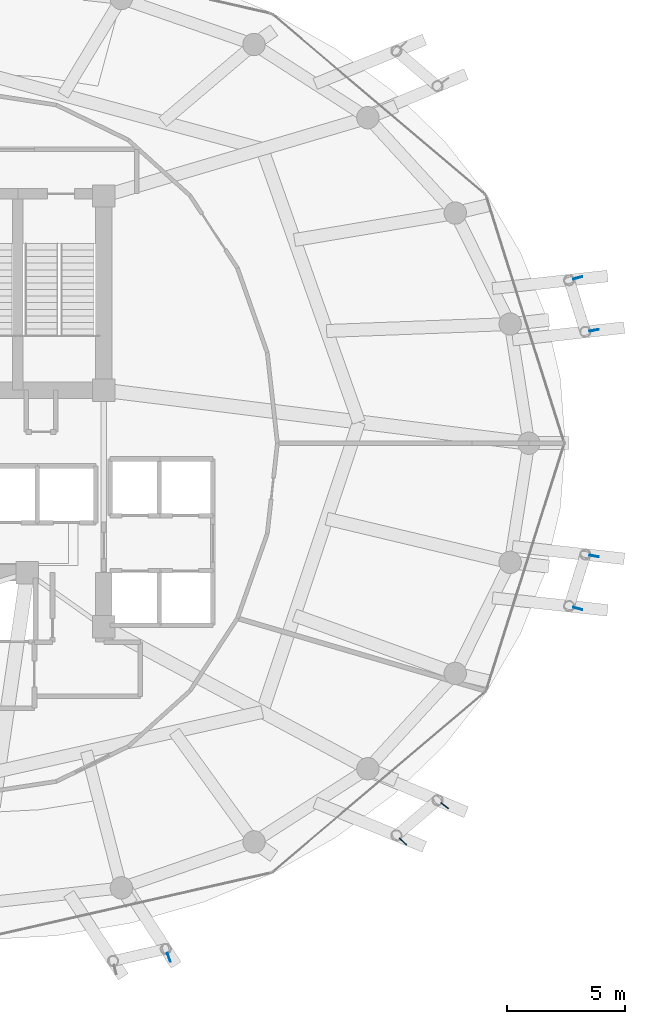
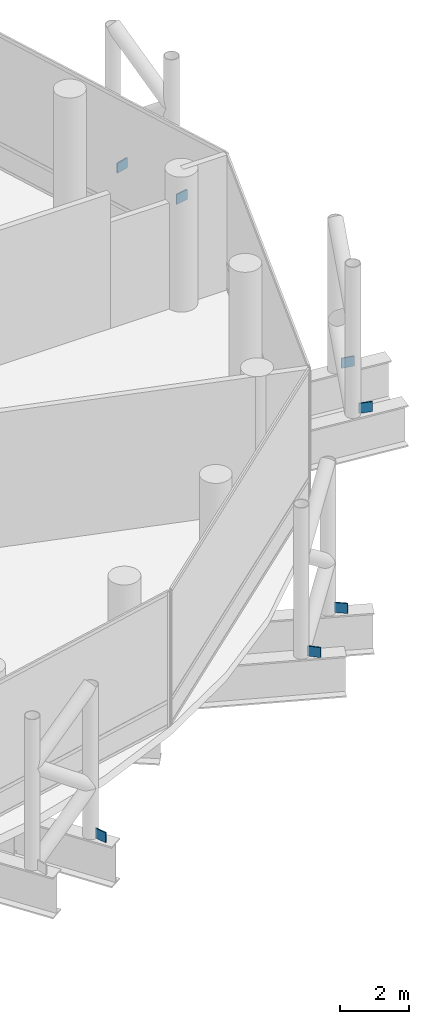
# One storey, part 26 of 29: 7 discrete accessories.
"""IFC4 building model written with IfcOpenShell, lengths in metres."""

from ifc_helpers import new_model, si_unit, direction, frame, origin, origin_2d, place, context, subcontext, project, spatial, rectangle, extrude, material, type_object, element, save


model = new_model("IFC4")

# Units and contexts
model_context = context("Model", 3, precision=1e-05, world=origin(), true_north=direction((0.0, 1.0)))
body_context = subcontext(model_context, "Body", "Model", "MODEL_VIEW")
ifc_project = project(units=[si_unit("LENGTHUNIT", "METRE"), si_unit("AREAUNIT", "SQUARE_METRE"), si_unit("VOLUMEUNIT", "CUBIC_METRE"), si_unit("PLANEANGLEUNIT", "RADIAN"), si_unit("MASSUNIT", "GRAM", prefix="KILO")], contexts=[model_context])

# Site, building, storey
site_placement = place(None, origin())
site = spatial("IfcSite", under=ifc_project, at=site_placement, CompositionType="ELEMENT")
building_placement = place(site_placement, origin())
building = spatial("IfcBuilding", under=site, at=building_placement, Name="Nuhasar Tower", CompositionType="ELEMENT")
storey_placement = place(building_placement, frame((0.0, 0.0, 113.25)))
storey = spatial("IfcBuildingStorey", under=building, at=storey_placement, Name="L26", CompositionType="ELEMENT", Elevation=113.25)

# Discrete accessories
ifc_material = material(Name="Steel S460", Category="steel")
discrete_accessory_type = type_object("IfcDiscreteAccessoryType", Name="ACC-GUS-40", PredefinedType="USERDEFINED", material=ifc_material)
for number, where, z_axis, x_axis, name in (
    (1, (65.1201171875, 31.593994140625, -0.320068359375), (0.0, 0.0, 1.0), (0.98356832001, 0.180536311784, 0.0), "L26 Exoskeleton Chord Column EC-01A Gusset Plate"),
    (2, (64.425048828125, 33.822021484375, -0.320068359375), (0.0, 0.0, 1.0), (0.963914422589, 0.266212294842, 0.0), "L26 Exoskeleton Chord Column EC-01B Gusset Plate"),
    (3, (47.05908203125, 4.968994140625, -0.320068359375), (0.0, 0.0, 1.0), (0.346313543819, -0.938118824759, 0.0), "L26 Exoskeleton Chord Column EC-10B Gusset Plate"),
    (4, (56.9990234375, 9.884033203125, -0.320068359375), (0.0, 0.0, 1.0), (0.728681821056, -0.684852395529, 0.0), "L26 Exoskeleton Chord Column EC-11A Gusset Plate"),
    (5, (58.77001953125, 11.405029296875, -0.320068359375), (0.0, 0.0, 1.0), (0.788998306749, -0.614395371034, 0.0), "L26 Exoskeleton Chord Column EC-11B Gusset Plate"),
    (6, (64.425048828125, 19.778076171875, -0.320068359375), (0.0, 0.0, 1.0), (0.963914422589, -0.266212294842, 0.0), "L26 Exoskeleton Chord Column EC-12A Gusset Plate"),
    (7, (65.1201171875, 22.006103515625, -0.320068359375), (0.0, 0.0, 1.0), (0.98356832001, -0.180536311784, 0.0), "L26 Exoskeleton Chord Column EC-12B Gusset Plate"),
):
    element("IfcDiscreteAccessory", number, at=place(storey_placement, frame(where, z_axis=z_axis, x_axis=x_axis)), inside=storey, type_object=discrete_accessory_type, Name=name, ObjectType="STEEL_GUSSET_PLATE", PredefinedType="USERDEFINED", context=body_context, shape_type="SweptSolid", body=[
        extrude(rectangle(XDim=0.39990234375, YDim=0.0400390625, at=origin_2d()), origin(), (0.0, 0.0, 1.0), 0.35009765625),
    ])

save(model, "model.ifc")
